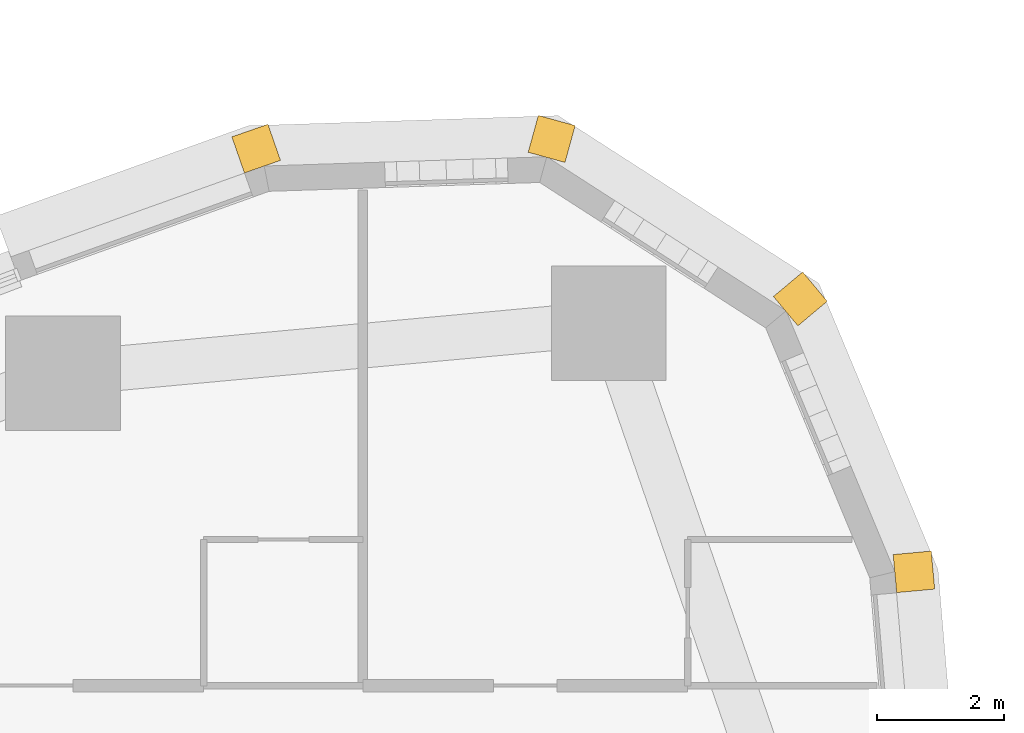
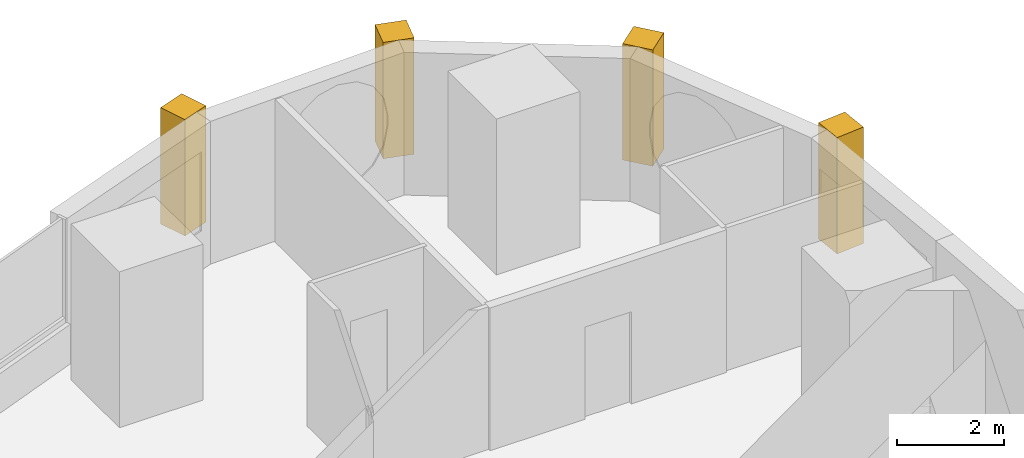
# One storey, part 19 of 19: 4 coverings.
"""IFC4 building model written with IfcOpenShell, lengths in metres."""

from ifc_helpers import new_model, si_unit, direction, frame, frame_2d, origin, place, context, subcontext, project, spatial, rectangle, extrude, material, layer, layer_set, type_object, element, save


model = new_model("IFC4")

# Units and contexts
model_context = context("Model", 3, precision=1e-05, world=origin(), true_north=direction((0.0, 1.0)))
body_context = subcontext(model_context, "Body", "Model", "MODEL_VIEW")
ifc_project = project(units=[si_unit("LENGTHUNIT", "METRE"), si_unit("AREAUNIT", "SQUARE_METRE"), si_unit("VOLUMEUNIT", "CUBIC_METRE"), si_unit("PLANEANGLEUNIT", "RADIAN"), si_unit("MASSUNIT", "GRAM", prefix="KILO")], contexts=[model_context])

# Site, building, storey
site_placement = place(None, origin())
site = spatial("IfcSite", under=ifc_project, at=site_placement, CompositionType="ELEMENT")
building_placement = place(site_placement, origin())
building = spatial("IfcBuilding", under=site, at=building_placement, Name="Ostrand Prow Hotel Tower", CompositionType="ELEMENT")
storey_placement = place(building_placement, frame((0.0, 0.0, 43.14990234375)))
storey = spatial("IfcBuildingStorey", under=building, at=storey_placement, Name="L08", CompositionType="ELEMENT", Elevation=43.14990234375)

# Coverings
ifc_material = material(Name="Limestone cladding", Category="masonry")
ifc_layer = layer(ifc_material, 0.60009765625)
ifc_layer_set = layer_set([ifc_layer], Name="Limestone cladding")
covering_type = type_object("IfcCoveringType", Name="Precast stone prow rib 600x600", PredefinedType="CLADDING", material=ifc_layer_set)
for number, where, z_axis, x_axis, name in (
    (1, (65.4580078125, 22.564453125, 0.60009765625), (0.0, 0.0, 1.0), (0.995724747837, 0.09237005221, 0.0), "Stone corner rib 16a"),
    (2, (63.74169921875, 26.6865234375, 0.60009765625), (0.0, 0.0, 1.0), (0.766985844654, 0.641664019639, 0.0), "Stone corner rib 17a"),
    (3, (59.98681640625, 29.1025390625, 0.60009765625), (0.0, 0.0, 1.0), (0.266111535611, 0.963942244439, 0.0), "Stone corner rib 18a"),
    (4, (55.524169921875, 28.956298828125, 0.60009765625), (0.0, 0.0, 1.0), (-0.328773122904, 0.94440893349, 0.0), "Stone corner rib 18b"),
):
    element("IfcCovering", number, at=place(storey_placement, frame(where, z_axis=z_axis, x_axis=x_axis)), inside=storey, type_object=covering_type, Name=name, PredefinedType="CLADDING", context=body_context, shape_type="SweptSolid", body=[
        extrude(rectangle(XDim=0.60009765625, YDim=0.60009765625, at=frame_2d((0.300048828125, 0.0))), origin(), (0.0, 0.0, 1.0), 2.64990234375),
    ])

save(model, "model.ifc")
